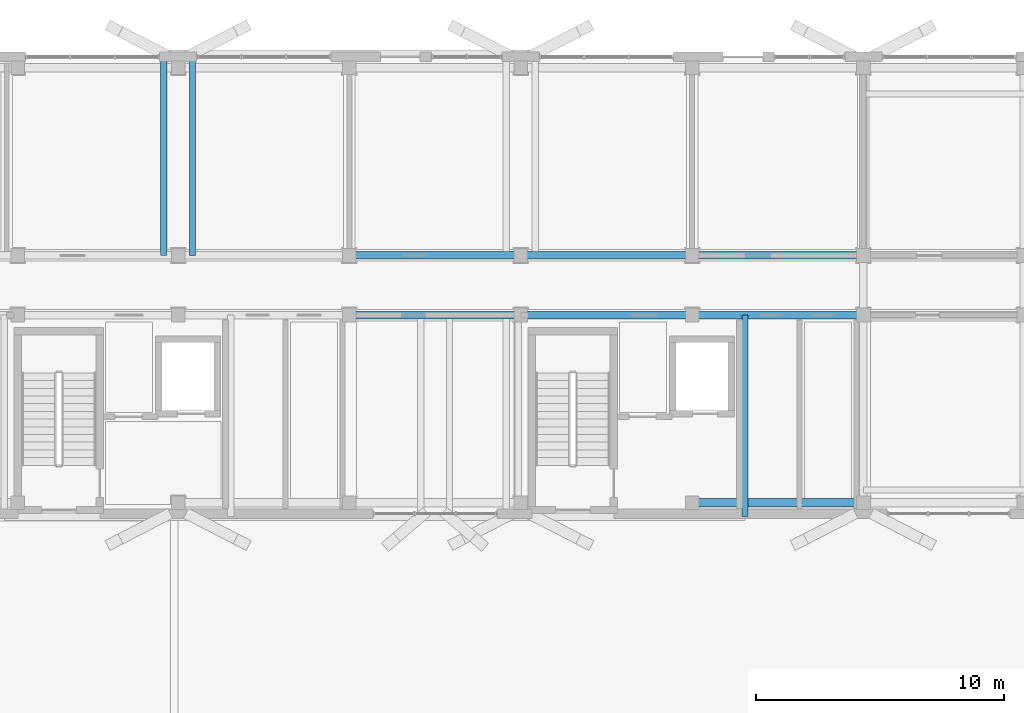
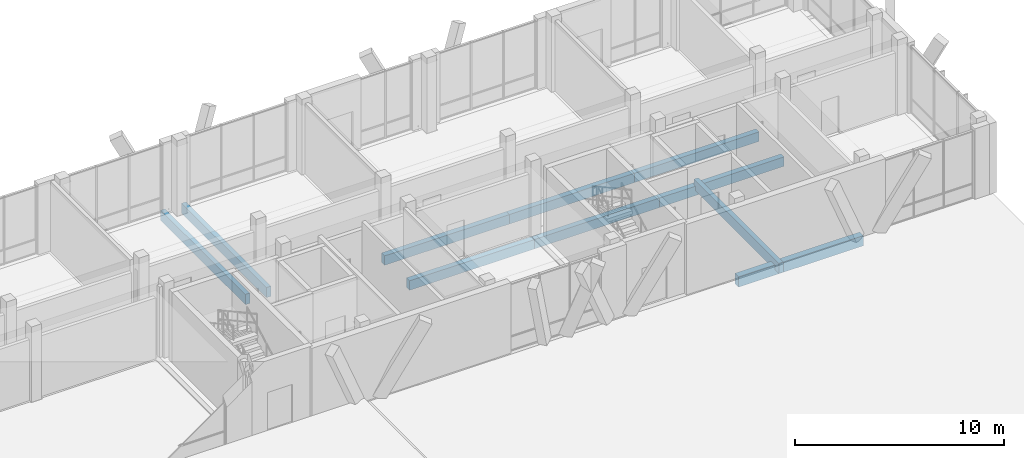
# One storey, part 167 of 233: 10 beams.
"""IFC4 building model written with IfcOpenShell, lengths in metres."""

from ifc_helpers import new_model, si_unit, direction, frame, origin, origin_2d, place, context, subcontext, project, spatial, rectangle, extrude, material, material_profile, profile_set, type_object, element, save


model = new_model("IFC4")

# Units and contexts
model_context = context("Model", 3, precision=1e-05, world=origin(), true_north=direction((0.0, 1.0)))
body_context = subcontext(model_context, "Body", "Model", "MODEL_VIEW")
ifc_project = project(units=[si_unit("LENGTHUNIT", "METRE"), si_unit("AREAUNIT", "SQUARE_METRE"), si_unit("VOLUMEUNIT", "CUBIC_METRE"), si_unit("PLANEANGLEUNIT", "RADIAN"), si_unit("MASSUNIT", "GRAM", prefix="KILO")], contexts=[model_context])

# Site, building, storey
site_placement = place(None, origin())
site = spatial("IfcSite", under=ifc_project, at=site_placement, CompositionType="ELEMENT")
building_placement = place(site_placement, origin())
building = spatial("IfcBuilding", under=site, at=building_placement, Name="Zavelmont Quarter", CompositionType="ELEMENT")
storey_placement = place(building_placement, origin())
storey = spatial("IfcBuildingStorey", under=building, at=storey_placement, Name="L00", CompositionType="ELEMENT", Elevation=0.0)

# Beams
ifc_material_1 = material(Name="Concrete C35/45", Category="concrete")
ifc_material_profile_1 = material_profile(ifc_material_1, rectangle(XDim=0.35009765625, YDim=0.60009765625, at=origin_2d()), Name="RC350X600")
ifc_profile_set_1 = profile_set([ifc_material_profile_1], Name="Concrete C35/45")
beam_type_1 = type_object("IfcBeamType", Name="BM01", PredefinedType="SPANDREL", material=ifc_profile_set_1)
beam_1_placement = place(storey_placement, frame((154.199951171875, 98.0400390625, -0.6201171875), z_axis=(1.0, 0.0, 0.0), x_axis=(0.0, 1.0, 0.0)))
element("IfcBeam", 1, at=beam_1_placement, inside=storey, type_object=beam_type_1, Name="L00 beam BM01 23/P to 24/P", PredefinedType="SPANDREL", context=body_context, shape_type="SweptSolid", body=[
    extrude(rectangle(XDim=0.35009765625, YDim=0.60009765625, at=origin_2d()), origin(), (0.0, 0.0, 1.0), 6.900146484375),
])
ifc_material_profile_2 = material_profile(ifc_material_1, rectangle(XDim=0.300048828125, YDim=0.550048828125, at=origin_2d()), Name="RC300X550")
ifc_profile_set_2 = profile_set([ifc_material_profile_2], Name="Concrete C35/45")
beam_type_2 = type_object("IfcBeamType", Name="BM02", PredefinedType="SPANDREL", material=ifc_profile_set_2)
beam_2_placement = place(storey_placement, frame((140.39990234375, 105.60009765625, -0.594970703125), z_axis=(1.0, 0.0, 0.0), x_axis=(0.0, 1.0, 0.0)))
element("IfcBeam", 2, at=beam_2_placement, inside=storey, type_object=beam_type_2, Name="L00 beam BM02 21/Q to 22/Q", PredefinedType="SPANDREL", context=body_context, shape_type="SweptSolid", body=[
    extrude(rectangle(XDim=0.300048828125, YDim=0.550048828125, at=origin_2d()), origin(), (0.0, 0.0, 1.0), 6.900146484375),
])
beam_3_placement = place(storey_placement, frame((147.300048828125, 105.60009765625, -0.594970703125), z_axis=(1.0, 0.0, 0.0), x_axis=(0.0, 1.0, 0.0)))
element("IfcBeam", 3, at=beam_3_placement, inside=storey, type_object=beam_type_2, Name="L00 beam BM02 22/Q to 23/Q", PredefinedType="SPANDREL", context=body_context, shape_type="SweptSolid", body=[
    extrude(rectangle(XDim=0.300048828125, YDim=0.550048828125, at=origin_2d()), origin(), (0.0, 0.0, 1.0), 6.89990234375),
])
for number, where, z_axis, x_axis, name in (
    (4, (154.199951171875, 105.60009765625, -0.594970703125), (1.0, 0.0, 0.0), (0.0, 1.0, 0.0), "L00 beam BM02 23/Q to 24/Q"),
    (5, (140.39990234375, 108.0, -0.594970703125), (1.0, 0.0, 0.0), (0.0, 1.0, 0.0), "L00 beam BM02 21/R to 22/R"),
):
    element("IfcBeam", number, at=place(storey_placement, frame(where, z_axis=z_axis, x_axis=x_axis)), inside=storey, type_object=beam_type_2, Name=name, PredefinedType="SPANDREL", context=body_context, shape_type="SweptSolid", body=[
        extrude(rectangle(XDim=0.300048828125, YDim=0.550048828125, at=origin_2d()), origin(), (0.0, 0.0, 1.0), 6.900146484375),
    ])
beam_4_placement = place(storey_placement, frame((147.300048828125, 108.0, -0.594970703125), z_axis=(1.0, 0.0, 0.0), x_axis=(0.0, 1.0, 0.0)))
element("IfcBeam", 6, at=beam_4_placement, inside=storey, type_object=beam_type_2, Name="L00 beam BM02 22/R to 23/R", PredefinedType="SPANDREL", context=body_context, shape_type="SweptSolid", body=[
    extrude(rectangle(XDim=0.300048828125, YDim=0.550048828125, at=origin_2d()), origin(), (0.0, 0.0, 1.0), 6.89990234375),
])
beam_5_placement = place(storey_placement, frame((154.199951171875, 108.0, -0.594970703125), z_axis=(1.0, 0.0, 0.0), x_axis=(0.0, 1.0, 0.0)))
element("IfcBeam", 7, at=beam_5_placement, inside=storey, type_object=beam_type_2, Name="L00 beam BM02 23/R to 24/R", PredefinedType="SPANDREL", context=body_context, shape_type="SweptSolid", body=[
    extrude(rectangle(XDim=0.300048828125, YDim=0.550048828125, at=origin_2d()), origin(), (0.0, 0.0, 1.0), 6.900146484375),
])
ifc_material_2 = material(Name="Concrete C40/50", Category="concrete")
ifc_material_profile_3 = material_profile(ifc_material_2, rectangle(XDim=0.25, YDim=0.60009765625, at=origin_2d()), Name="RC250X600")
ifc_profile_set_3 = profile_set([ifc_material_profile_3], Name="Concrete C40/50")
beam_type_3 = type_object("IfcBeamType", Name="BM18", PredefinedType="BEAM", material=ifc_profile_set_3)
for number, where, z_axis, x_axis, name in (
    (8, (132.919921875, 108.0, -0.300048828125), (0.0, 1.0, 0.0), (-1.0, 0.0, 0.0), "L00 beam BM18 20/R to 20/S"),
    (9, (134.080078125, 108.0, -0.300048828125), (0.0, 1.0, 0.0), (-1.0, 0.0, 0.0), "L00 beam BM18 20/R to 20/S"),
    (10, (156.324951171875, 105.60009765625, -0.300048828125), (0.0, -1.0, 0.0), (1.0, 0.0, 0.0), "L00 beam BM18 23/Q to 23/P"),
):
    element("IfcBeam", number, at=place(storey_placement, frame(where, z_axis=z_axis, x_axis=x_axis)), inside=storey, type_object=beam_type_3, Name=name, PredefinedType="BEAM", context=body_context, shape_type="SweptSolid", body=[
        extrude(rectangle(XDim=0.25, YDim=0.60009765625, at=origin_2d()), origin(), (0.0, 0.0, 1.0), 8.1201171875),
    ])

save(model, "model.ifc")
